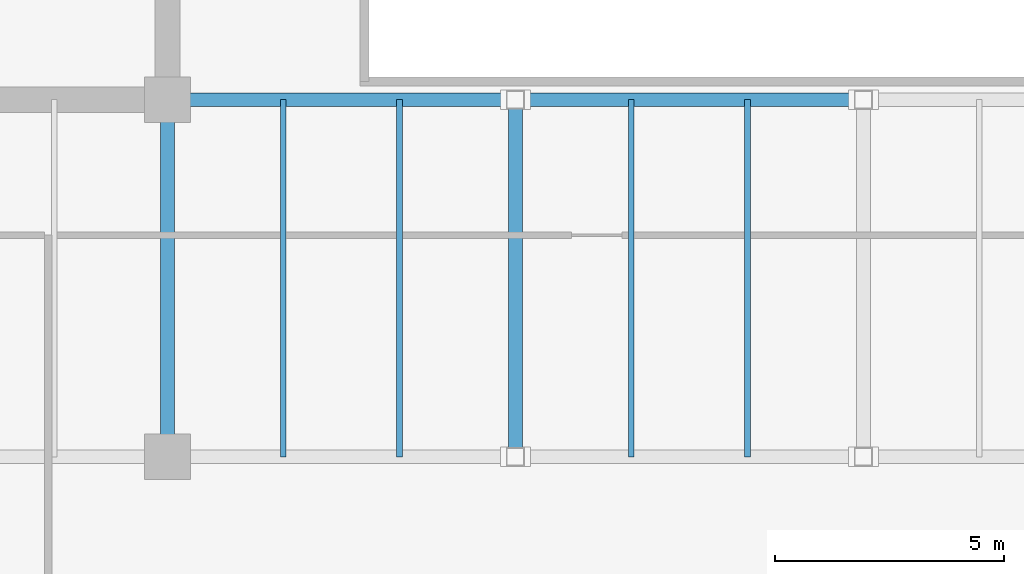
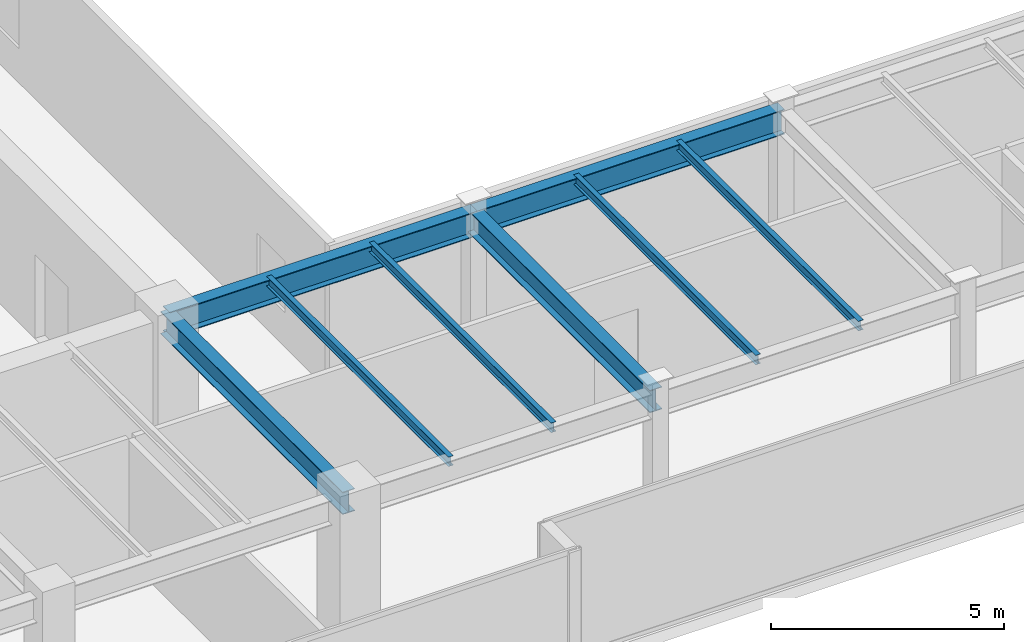
# One storey, part 8 of 33: 8 beams.
"""IFC4 building model written with IfcOpenShell, lengths in metres."""

from ifc_helpers import new_model, si_unit, direction, frame, origin, origin_2d, place, context, subcontext, project, spatial, i_section, extrude, source, transform, mapped, material, material_profile, profile_set, type_object, type_shapes, element, save


model = new_model("IFC4")

# Units and contexts
model_context = context("Model", 3, precision=1e-05, world=origin(), true_north=direction((0.0, 1.0)))
body_context = subcontext(model_context, "Body", "Model", "MODEL_VIEW")
ifc_project = project(units=[si_unit("LENGTHUNIT", "METRE"), si_unit("AREAUNIT", "SQUARE_METRE"), si_unit("VOLUMEUNIT", "CUBIC_METRE"), si_unit("PLANEANGLEUNIT", "RADIAN"), si_unit("MASSUNIT", "GRAM", prefix="KILO")], contexts=[model_context])

# Site, building, storey
site_placement = place(None, origin())
site = spatial("IfcSite", under=ifc_project, at=site_placement, CompositionType="ELEMENT")
building_placement = place(site_placement, origin())
building = spatial("IfcBuilding", under=site, at=building_placement, Name="Haelvirn Gate Laboratories", CompositionType="ELEMENT")
storey_placement = place(building_placement, frame((0.0, 0.0, 287.5)))
storey = spatial("IfcBuildingStorey", under=building, at=storey_placement, Name="L69", CompositionType="ELEMENT", Elevation=287.5)

# Beams
ifc_material = material(Name="Steel SM355", Category="steel")
ifc_material_profile_1 = material_profile(ifc_material, i_section(OverallWidth=0.300048828125, OverallDepth=0.587890625, WebThickness=0.011962890625, FlangeThickness=0.02001953125, at=origin_2d()), Name="H-588x300x12x20")
ifc_profile_set_1 = profile_set([ifc_material_profile_1], Name="Steel SM355")
beam_type_1 = type_object("IfcBeamType", Name="BM-G-588", PredefinedType="BEAM", material=ifc_profile_set_1)
shared_shape_1 = source(origin(), body_context, "Body", "SweptSolid", [
    extrude(i_section(OverallWidth=0.300048828125, OverallDepth=0.587890625, WebThickness=0.011962890625, FlangeThickness=0.02001953125, at=origin_2d()), origin(), (0.0, 0.0, 1.0), 7.800048828125),
])
type_shapes(beam_type_1, [shared_shape_1])
for number, where, z_axis, x_axis, name in (
    (1, (22.199951171875, 7.0, 3.506103515625), (0.0, 1.0, 0.0), (-1.0, 0.0, 0.0), "L69 Frame Girder X22.2 (7.0-14.8)"),
    (2, (29.800048828125, 7.0, 3.506103515625), (0.0, 1.0, 0.0), (-1.0, 0.0, 0.0), "L69 Frame Girder X29.8 (7.0-14.8)"),
):
    element("IfcBeam", number, at=place(storey_placement, frame(where, z_axis=z_axis, x_axis=x_axis)), inside=storey, type_object=beam_type_1, Name=name, PredefinedType="BEAM", context=body_context, shape_type="MappedRepresentation", body=[
        mapped(shared_shape_1, transform((0.0, 0.0, 0.0), scale=1.0)),
    ])
ifc_material_profile_2 = material_profile(ifc_material, i_section(OverallWidth=0.300048828125, OverallDepth=0.64990234375, WebThickness=0.012939453125, FlangeThickness=0.02197265625, at=origin_2d()), Name="H-650x300x13x22")
ifc_profile_set_2 = profile_set([ifc_material_profile_2], Name="Steel SM355")
beam_type_2 = type_object("IfcBeamType", Name="BM-G-650", PredefinedType="BEAM", material=ifc_profile_set_2)
shared_shape_2 = source(origin(), body_context, "Body", "SweptSolid", [
    extrude(i_section(OverallWidth=0.300048828125, OverallDepth=0.64990234375, WebThickness=0.012939453125, FlangeThickness=0.02197265625, at=origin_2d()), origin(), (0.0, 0.0, 1.0), 7.60009765625),
])
beam_1_placement = place(storey_placement, frame((22.199951171875, 14.800048828125, 3.47509765625), z_axis=(1.0, 0.0, 0.0), x_axis=(0.0, 1.0, 0.0)))
element("IfcBeam", 3, at=beam_1_placement, inside=storey, type_object=beam_type_2, Name="L69 Primary Girder Y14.8 (22.2-29.8)", PredefinedType="BEAM", context=body_context, shape_type="MappedRepresentation", body=[
    mapped(shared_shape_2, transform((0.0, 0.0, 0.0), scale=1.0)),
])
shared_shape_3 = source(origin(), body_context, "Body", "SweptSolid", [
    extrude(i_section(OverallWidth=0.300048828125, OverallDepth=0.64990234375, WebThickness=0.012939453125, FlangeThickness=0.02197265625, at=origin_2d()), origin(), (0.0, 0.0, 1.0), 7.599853515625),
])
type_shapes(beam_type_2, [shared_shape_2, shared_shape_3])
beam_2_placement = place(storey_placement, frame((29.800048828125, 14.800048828125, 3.47509765625), z_axis=(1.0, 0.0, 0.0), x_axis=(0.0, 1.0, 0.0)))
element("IfcBeam", 4, at=beam_2_placement, inside=storey, type_object=beam_type_2, Name="L69 Primary Girder Y14.8 (29.8-37.4)", PredefinedType="BEAM", context=body_context, shape_type="MappedRepresentation", body=[
    mapped(shared_shape_3, transform((0.0, 0.0, 0.0), scale=1.0)),
])
ifc_material_profile_3 = material_profile(ifc_material, i_section(OverallWidth=0.125, OverallDepth=0.25, WebThickness=0.006103515625, FlangeThickness=0.009033203125, at=origin_2d()), Name="H-250x125x6x9")
ifc_profile_set_3 = profile_set([ifc_material_profile_3], Name="Steel SM355")
beam_type_3 = type_object("IfcBeamType", Name="BM-J-250", PredefinedType="JOIST", material=ifc_profile_set_3)
shared_shape_4 = source(origin(), body_context, "Body", "SweptSolid", [
    extrude(i_section(OverallWidth=0.125, OverallDepth=0.25, WebThickness=0.006103515625, FlangeThickness=0.009033203125, at=origin_2d()), origin(), (0.0, 0.0, 1.0), 7.800048828125),
])
type_shapes(beam_type_3, [shared_shape_4])
for number, where, z_axis, x_axis, name in (
    (5, (24.72998046875, 7.0, 3.675048828125), (0.0, 1.0, 0.0), (-1.0, 0.0, 0.0), "L69 Composite Lab Joist South X24.73"),
    (6, (27.27001953125, 7.0, 3.675048828125), (0.0, 1.0, 0.0), (-1.0, 0.0, 0.0), "L69 Composite Lab Joist South X27.27"),
    (7, (32.330078125, 7.0, 3.675048828125), (0.0, 1.0, 0.0), (-1.0, 0.0, 0.0), "L69 Composite Lab Joist South X32.33"),
    (8, (34.8701171875, 7.0, 3.675048828125), (0.0, 1.0, 0.0), (-1.0, 0.0, 0.0), "L69 Composite Lab Joist South X34.87"),
):
    element("IfcBeam", number, at=place(storey_placement, frame(where, z_axis=z_axis, x_axis=x_axis)), inside=storey, type_object=beam_type_3, Name=name, PredefinedType="JOIST", context=body_context, shape_type="MappedRepresentation", body=[
        mapped(shared_shape_4, transform((0.0, 0.0, 0.0), scale=1.0)),
    ])

save(model, "model.ifc")
